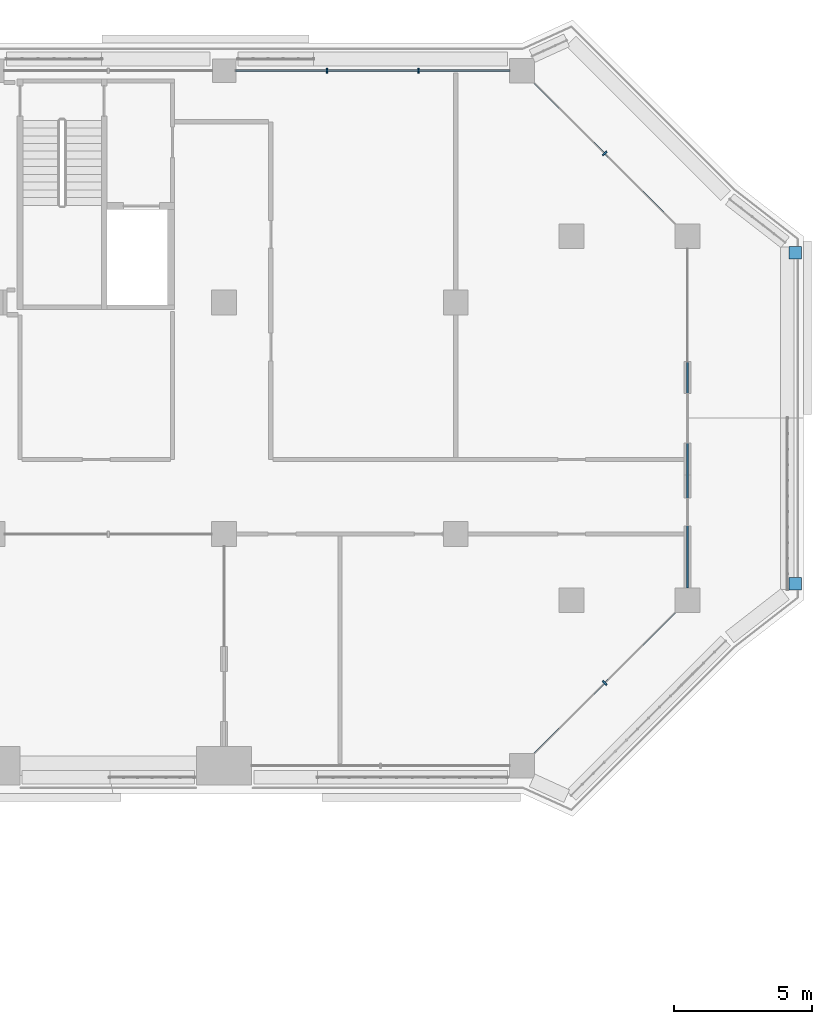
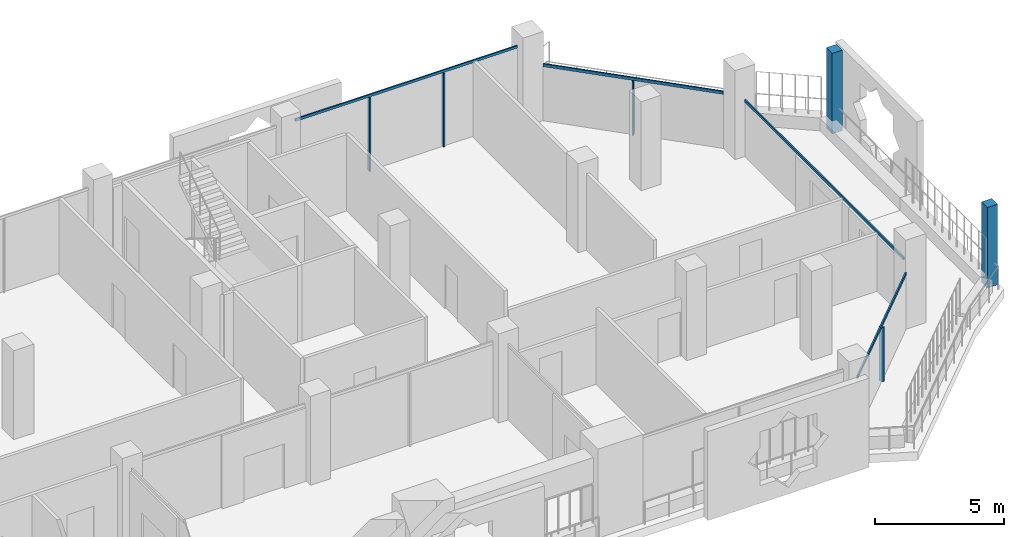
# One storey, part 9 of 24: 10 members, 5 elements without a shape of their own.
"""IFC4 building model written with IfcOpenShell, lengths in metres."""

from ifc_helpers import new_model, si_unit, direction, frame, origin, origin_2d, place, context, subcontext, project, spatial, rectangle, extrude, material, layer, layer_set, material_profile, profile_set, type_object, element, aggregate, save


model = new_model("IFC4")

# Units and contexts
model_context = context("Model", 3, precision=1e-05, world=origin(), true_north=direction((0.0, 1.0)))
body_context = subcontext(model_context, "Body", "Model", "MODEL_VIEW")
ifc_project = project(units=[si_unit("LENGTHUNIT", "METRE"), si_unit("AREAUNIT", "SQUARE_METRE"), si_unit("VOLUMEUNIT", "CUBIC_METRE"), si_unit("PLANEANGLEUNIT", "RADIAN"), si_unit("MASSUNIT", "GRAM", prefix="KILO")], contexts=[model_context])

# Site, building, storey
site_placement = place(None, origin())
site = spatial("IfcSite", under=ifc_project, at=site_placement, CompositionType="ELEMENT")
building_placement = place(site_placement, origin())
building = spatial("IfcBuilding", under=site, at=building_placement, Name="Kawkab Arch Medical Tower", CompositionType="ELEMENT")
storey_placement = place(building_placement, frame((0.0, 0.0, 218.0)))
storey = spatial("IfcBuildingStorey", under=building, at=storey_placement, Name="L50", CompositionType="ELEMENT", Elevation=218.0)

# Curtain wall, members
ifc_material_1 = material(Name="Bronze anodised aluminium curtain wall frame", Category="aluminium")
ifc_layer_1 = layer(ifc_material_1, 0.159912109375)
ifc_layer_set_1 = layer_set([ifc_layer_1], Name="Bronze anodised aluminium curtain wall frame")
curtain_wall_type_1 = type_object("IfcCurtainWallType", Name="CW1 ward curtain wall", PredefinedType="NOTDEFINED", material=ifc_layer_set_1)
placement = place(storey_placement, origin())
curtain_wall_1 = element("IfcCurtainWall", 1, at=placement, inside=storey, type_object=curtain_wall_type_1, Name="CW1 Ward curtain wall R09", PredefinedType="NOTDEFINED")
ifc_material_2 = material(Name="Bronze anodised aluminium curtain wall frame", Category="aluminium")
ifc_material_profile_1 = material_profile(ifc_material_2, rectangle(XDim=0.179931640625, YDim=0.06005859375, at=origin_2d()), Name="AL 60x180")
ifc_profile_set_1 = profile_set([ifc_material_profile_1], Name="Bronze anodised aluminium curtain wall frame")
member_type_1 = type_object("IfcMemberType", Name="CW1 mullion 60 x 180", PredefinedType="MULLION", material=ifc_profile_set_1)
member_1_placement = place(storey_placement, frame((57.441650390625, 0.0, 0.0), z_axis=(0.0, 0.0, 1.0), x_axis=(0.0, -1.0, 0.0)))
member_1 = element("IfcMember", 2, at=member_1_placement, type_object=member_type_1, Name="CW1 mullion 1.1", PredefinedType="MULLION", context=body_context, shape_type="SweptSolid", body=[
    extrude(rectangle(XDim=0.179931640625, YDim=0.06005859375, at=origin_2d()), origin(), (0.0, 0.0, 1.0), 3.47998046875),
])
member_2_placement = place(storey_placement, frame((54.13330078125, 0.0, 0.0), z_axis=(0.0, 0.0, 1.0), x_axis=(0.0, -1.0, 0.0)))
member_2 = element("IfcMember", 3, at=member_2_placement, type_object=member_type_1, Name="CW1 mullion 1.2", PredefinedType="MULLION", context=body_context, shape_type="SweptSolid", body=[
    extrude(rectangle(XDim=0.179931640625, YDim=0.06005859375, at=origin_2d()), origin(), (0.0, 0.0, 1.0), 3.47998046875),
])

# Curtain wall, member
curtain_wall_2 = element("IfcCurtainWall", 4, at=placement, inside=storey, type_object=curtain_wall_type_1, Name="CW1 Ward curtain wall R07", PredefinedType="NOTDEFINED")
ifc_material_3 = material(Name="Bronze anodised aluminium curtain wall frame", Category="aluminium")
ifc_material_profile_2 = material_profile(ifc_material_3, rectangle(XDim=0.06005859375, YDim=0.1201171875, at=origin_2d()), Name="AL 60x120")
ifc_profile_set_2 = profile_set([ifc_material_profile_2], Name="Bronze anodised aluminium curtain wall frame")
member_type_2 = type_object("IfcMemberType", Name="CW1 transom 120 x 60", PredefinedType="USERDEFINED", material=ifc_profile_set_2)
member_3_placement = place(storey_placement, frame((67.199951171875, -18.75, 2.639892578125), z_axis=(0.0, 1.0, 0.0), x_axis=(-1.0, 0.0, 0.0)))
member_3 = element("IfcMember", 5, at=member_3_placement, type_object=member_type_2, Name="CW1 transom 1", ObjectType="TRANSOM", PredefinedType="USERDEFINED", context=body_context, shape_type="SweptSolid", body=[
    extrude(rectangle(XDim=0.06005859375, YDim=0.1201171875, at=origin_2d()), origin(), (0.0, 0.0, 1.0), 12.300048828125),
])
aggregate(curtain_wall_2, [member_3])

# Member
member_4_placement = place(storey_placement, frame((60.75, 0.0, 3.5400390625), z_axis=(-1.0, 0.0, 0.0), x_axis=(0.0, -1.0, 0.0)))
member_4 = element("IfcMember", 6, at=member_4_placement, type_object=member_type_2, Name="CW1 transom 1", ObjectType="TRANSOM", PredefinedType="USERDEFINED", context=body_context, shape_type="SweptSolid", body=[
    extrude(rectangle(XDim=0.06005859375, YDim=0.1201171875, at=origin_2d()), origin(), (0.0, 0.0, 1.0), 9.925048828125),
])

aggregate(curtain_wall_1, [member_4, member_1, member_2])

# Curtain wall, member
ifc_material_4 = material(Name="Bronze anodised aluminium curtain wall frame", Category="aluminium")
ifc_layer_2 = layer(ifc_material_4, 0.159912109375)
ifc_layer_set_2 = layer_set([ifc_layer_2], Name="Bronze anodised aluminium curtain wall frame")
curtain_wall_type_2 = type_object("IfcCurtainWallType", Name="CW2 chamfer curtain wall", PredefinedType="NOTDEFINED", material=ifc_layer_set_2)
curtain_wall_3 = element("IfcCurtainWall", 7, at=placement, inside=storey, type_object=curtain_wall_type_2, Name="CW2 Chamfer curtain wall R06", PredefinedType="NOTDEFINED")
ifc_material_5 = material(Name="Bronze anodised aluminium curtain wall frame", Category="aluminium")
ifc_material_profile_3 = material_profile(ifc_material_5, rectangle(XDim=0.199951171875, YDim=0.06005859375, at=origin_2d()), Name="AL 60x200")
ifc_profile_set_3 = profile_set([ifc_material_profile_3], Name="Bronze anodised aluminium curtain wall frame")
member_type_3 = type_object("IfcMemberType", Name="CW2 mullion 60 x 200", PredefinedType="MULLION", material=ifc_profile_set_3)
member_5_placement = place(storey_placement, frame((64.199951171875, -22.199951171875, 0.0), z_axis=(0.0, 0.0, 1.0), x_axis=(-0.707106781187, 0.707106781187, 0.0)))
member_5 = element("IfcMember", 8, at=member_5_placement, type_object=member_type_3, Name="CW2 mullion 1.1", PredefinedType="MULLION", context=body_context, shape_type="SweptSolid", body=[
    extrude(rectangle(XDim=0.199951171875, YDim=0.06005859375, at=origin_2d()), origin(), (0.0, 0.0, 1.0), 2.56005859375),
])

curtain_wall_4 = element("IfcCurtainWall", 9, at=placement, inside=storey, type_object=curtain_wall_type_2, Name="CW2 Chamfer curtain wall R08", PredefinedType="NOTDEFINED")
member_6_placement = place(storey_placement, frame((64.199951171875, -3.0, 0.0), z_axis=(0.0, 0.0, 1.0), x_axis=(-0.707106781187, -0.707106781187, 0.0)))
member_6 = element("IfcMember", 10, at=member_6_placement, type_object=member_type_3, Name="CW2 mullion 1.1", PredefinedType="MULLION", context=body_context, shape_type="SweptSolid", body=[
    extrude(rectangle(XDim=0.199951171875, YDim=0.06005859375, at=origin_2d()), origin(), (0.0, 0.0, 1.0), 2.56005859375),
])

# Member
ifc_material_6 = material(Name="Bronze anodised aluminium curtain wall frame", Category="aluminium")
ifc_material_profile_4 = material_profile(ifc_material_6, rectangle(XDim=0.06005859375, YDim=0.139892578125, at=origin_2d()), Name="AL 60x140")
ifc_profile_set_4 = profile_set([ifc_material_profile_4], Name="Bronze anodised aluminium curtain wall frame")
member_type_4 = type_object("IfcMemberType", Name="CW2 transom 140 x 60", PredefinedType="USERDEFINED", material=ifc_profile_set_4)
member_7_placement = place(storey_placement, frame((61.64990234375, -24.75, 2.6298828125), z_axis=(0.707106781187, 0.707106781187, 0.0), x_axis=(-0.707106781187, 0.707106781187, 0.0)))
member_7 = element("IfcMember", 11, at=member_7_placement, type_object=member_type_4, Name="CW2 transom 1", ObjectType="TRANSOM", PredefinedType="USERDEFINED", context=body_context, shape_type="SweptSolid", body=[
    extrude(rectangle(XDim=0.06005859375, YDim=0.139892578125, at=origin_2d()), origin(), (0.0, 0.0, 1.0), 7.212646484375),
])

aggregate(curtain_wall_3, [member_7, member_5])

member_8_placement = place(storey_placement, frame((66.75, -5.550048828125, 2.6298828125), z_axis=(-0.707106781187, 0.707106781187, 0.0), x_axis=(-0.707106781187, -0.707106781187, 0.0)))
member_8 = element("IfcMember", 12, at=member_8_placement, type_object=member_type_4, Name="CW2 transom 1", ObjectType="TRANSOM", PredefinedType="USERDEFINED", context=body_context, shape_type="SweptSolid", body=[
    extrude(rectangle(XDim=0.06005859375, YDim=0.139892578125, at=origin_2d()), origin(), (0.0, 0.0, 1.0), 7.212646484375),
])

aggregate(curtain_wall_4, [member_8, member_6])

# Curtain wall, members
ifc_material_7 = material(Name="Bronze anodised aluminium climber frame, planted", Category="aluminium")
ifc_layer_3 = layer(ifc_material_7, 0.449951171875)
ifc_layer_set_3 = layer_set([ifc_layer_3], Name="Bronze anodised aluminium climber frame, planted")
curtain_wall_type_3 = type_object("IfcCurtainWallType", Name="Planted climber frame", PredefinedType="NOTDEFINED", material=ifc_layer_set_3)
curtain_wall_5 = element("IfcCurtainWall", 13, at=placement, inside=storey, type_object=curtain_wall_type_3, Name="Planted climber frame L50", PredefinedType="NOTDEFINED")
ifc_material_8 = material(Name="Bronze anodised aluminium climber frame, planted", Category="aluminium")
ifc_material_profile_5 = material_profile(ifc_material_8, rectangle(XDim=0.449951171875, YDim=0.449951171875, at=origin_2d()), Name="Post 450x450")
ifc_profile_set_5 = profile_set([ifc_material_profile_5], Name="Bronze anodised aluminium climber frame, planted")
member_type_5 = type_object("IfcMemberType", Name="Planted climber post 450 x 450", PredefinedType="MULLION", material=ifc_profile_set_5)
member_9_placement = place(storey_placement, frame((71.10009765625, -6.596923828125, 0.0), z_axis=(0.0, 0.0, 1.0), x_axis=(1.0, 0.0, 0.0)))
member_9 = element("IfcMember", 14, at=member_9_placement, type_object=member_type_5, Name="Planted climber post L50.LOG-01-01.1", PredefinedType="MULLION", context=body_context, shape_type="SweptSolid", body=[
    extrude(rectangle(XDim=0.449951171875, YDim=0.449951171875, at=origin_2d()), origin(), (0.0, 0.0, 1.0), 3.800048828125),
])
member_10_placement = place(storey_placement, frame((71.10009765625, -18.60302734375, 0.0), z_axis=(0.0, 0.0, 1.0), x_axis=(1.0, 0.0, 0.0)))
member_10 = element("IfcMember", 15, at=member_10_placement, type_object=member_type_5, Name="Planted climber post L50.LOG-01-01.2", PredefinedType="MULLION", context=body_context, shape_type="SweptSolid", body=[
    extrude(rectangle(XDim=0.449951171875, YDim=0.449951171875, at=origin_2d()), origin(), (0.0, 0.0, 1.0), 3.800048828125),
])
aggregate(curtain_wall_5, [member_9, member_10])

save(model, "model.ifc")
